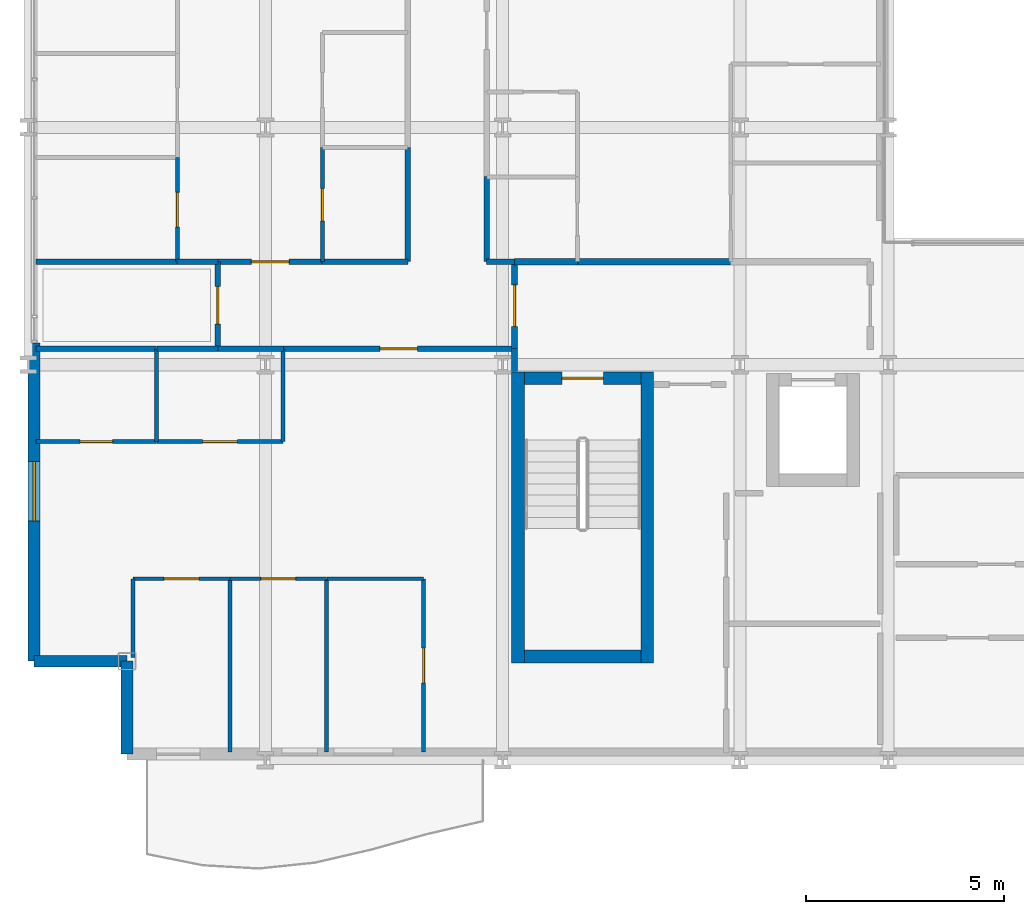
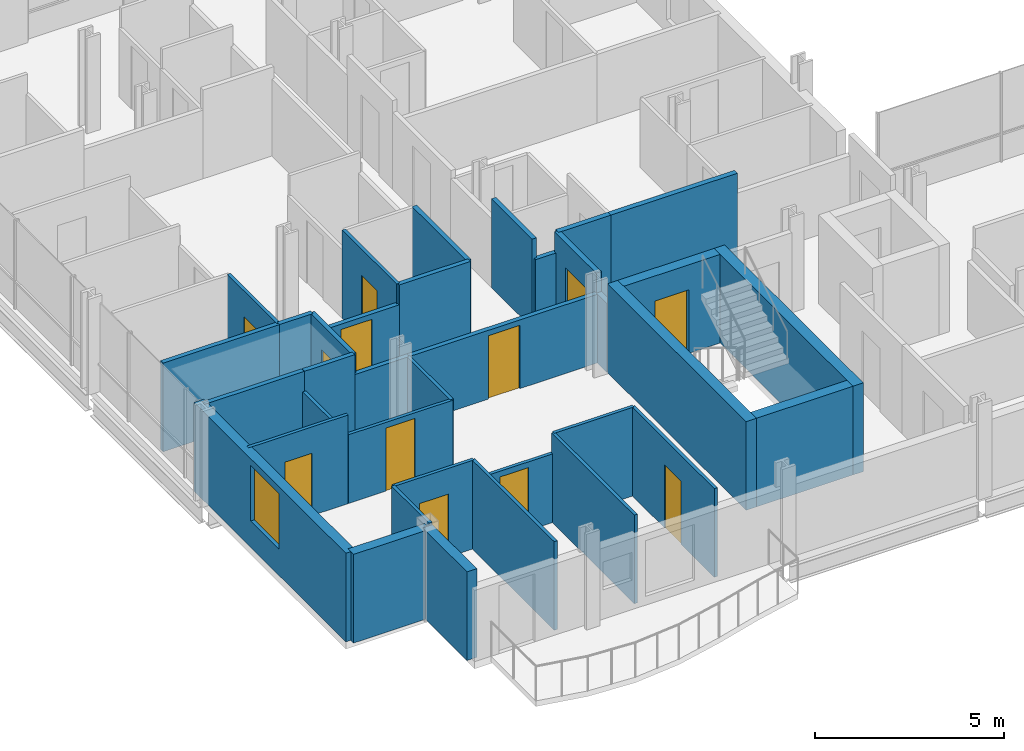
# One storey, part 31 of 41: 36 walls, 12 doors, 1 window, 13 openings.
"""IFC4 building model written with IfcOpenShell, lengths in metres."""

from ifc_helpers import new_model, si_unit, direction, frame, frame_2d, origin, place, context, subcontext, project, spatial, rectangle, extrude, material, layer, layer_set, type_object, element, fill, save


model = new_model("IFC4")

# Units and contexts
model_context = context("Model", 3, precision=1e-05, world=origin(), true_north=direction((0.0, 1.0)))
body_context = subcontext(model_context, "Body", "Model", "MODEL_VIEW")
ifc_project = project(units=[si_unit("LENGTHUNIT", "METRE"), si_unit("AREAUNIT", "SQUARE_METRE"), si_unit("VOLUMEUNIT", "CUBIC_METRE"), si_unit("PLANEANGLEUNIT", "RADIAN"), si_unit("MASSUNIT", "GRAM", prefix="KILO")], contexts=[model_context])

# Site, building, storey
site_placement = place(None, origin())
site = spatial("IfcSite", under=ifc_project, at=site_placement, CompositionType="ELEMENT")
building_placement = place(site_placement, origin())
building = spatial("IfcBuilding", under=site, at=building_placement, Name="Brevholm Reach", CompositionType="ELEMENT")
storey_placement = place(building_placement, frame((0.0, 0.0, 43.5)))
storey = spatial("IfcBuildingStorey", under=building, at=storey_placement, Name="L11", CompositionType="ELEMENT", Elevation=43.5)

# Walls
ifc_material_1 = material(Name="Concrete C60/75", Category="concrete")
ifc_layer_1 = layer(ifc_material_1, 0.320068359375)
ifc_layer_set_1 = layer_set([ifc_layer_1], Name="Concrete C60/75")
wall_type_1 = type_object("IfcWallType", Name="WAL-COR-320", PredefinedType="SHEAR", material=ifc_layer_set_1)
for number, where, z_axis, x_axis, name in (
    (1, (12.389892578125, 2.4599609375, 0.0), (0.0, 0.0, 1.0), (0.0, 1.0, 0.0), "L11 Escape Stair ST-1 Core Wall W"),
    (2, (15.659912109375, 2.4599609375, 0.0), (0.0, 0.0, 1.0), (0.0, 1.0, 0.0), "L11 Escape Stair ST-1 Core Wall E"),
):
    element("IfcWall", number, at=place(storey_placement, frame(where, z_axis=z_axis, x_axis=x_axis)), inside=storey, type_object=wall_type_1, Name=name, PredefinedType="SHEAR", context=body_context, shape_type="SweptSolid", body=[
        extrude(rectangle(XDim=7.360107421875, YDim=0.320068359375, at=frame_2d((3.68017578125, 0.0))), origin(), (0.0, 0.0, 1.0), 2.8701171875),
    ])
wall_1_placement = place(storey_placement, frame((12.550048828125, 2.6201171875, 0.0), z_axis=(0.0, 0.0, 1.0), x_axis=(1.0, 0.0, 0.0)))
element("IfcWall", 3, at=wall_1_placement, inside=storey, type_object=wall_type_1, Name="L11 Escape Stair ST-1 Core Wall S", PredefinedType="SHEAR", context=body_context, shape_type="SweptSolid", body=[
    extrude(rectangle(XDim=2.949951171875, YDim=0.320068359375, at=frame_2d((1.47509765625, 0.0))), origin(), (0.0, 0.0, 1.0), 2.8701171875),
])

# Wall, opening, door
wall_2_placement = place(storey_placement, frame((15.5, 9.659912109375, 0.0), z_axis=(0.0, 0.0, 1.0), x_axis=(-1.0, 0.0, 0.0)))
wall_2 = element("IfcWall", 4, at=wall_2_placement, inside=storey, type_object=wall_type_1, Name="L11 Escape Stair ST-1 Core Wall N", PredefinedType="SHEAR", context=body_context, shape_type="SweptSolid", body=[
    extrude(rectangle(XDim=2.949951171875, YDim=0.320068359375, at=frame_2d((1.47509765625, 0.0))), origin(), (0.0, 0.0, 1.0), 2.8701171875),
])
opening_1_placement = place(wall_2_placement, frame((0.949951171875, 0.0, 0.0)))
opening_1 = element("IfcOpeningElement", 5, at=opening_1_placement, cuts=wall_2, Name="Opening SD-ST-1", PredefinedType="OPENING", context=body_context, shape_type="SweptSolid", body=[
    extrude(rectangle(XDim=1.050048828125, YDim=2.06005859375, at=frame_2d((0.52490234375, 1.030029296875))), frame((0.0, 0.169921875, 0.0), z_axis=(0.0, -1.0, 0.0), x_axis=(1.0, 0.0, 0.0)), (0.0, 0.0, 1.0), 0.340087890625),
])
ifc_material_2 = material(Name="Hardwood-Lipped Steel-Core Fire and Smoke Door", Category="steel")
door_type_1 = type_object("IfcDoorType", Name="DOR-INT-FD60S", OperationType="NOTDEFINED", PredefinedType="DOOR", material=ifc_material_2)
door_1_placement = place(opening_1_placement, origin())
door_1 = element("IfcDoor", 6, at=door_1_placement, inside=storey, type_object=door_type_1, Name="L11 Protected Stair ST-1 Lobby Door", OperationType="SINGLE_SWING_LEFT", OverallHeight=2.06005859375, OverallWidth=1.050048828125, PredefinedType="DOOR", context=body_context, shape_type="SweptSolid", body=[
    extrude(rectangle(XDim=1.050048828125, YDim=2.06005859375, at=frame_2d((0.52490234375, 1.030029296875))), frame((0.0, 0.02490234375, 0.0), z_axis=(0.0, -1.0, 0.0), x_axis=(1.0, 0.0, 0.0)), (0.0, 0.0, 1.0), 0.050048828125),
])
fill(opening_1, door_1)

# Walls
ifc_material_3 = material(Name="Concrete C40/50", Category="concrete")
ifc_layer_2 = layer(ifc_material_3, 0.300048828125)
ifc_layer_set_2 = layer_set([ifc_layer_2], Name="Concrete C40/50")
wall_type_2 = type_object("IfcWallType", Name="WAL-EXT-300", PredefinedType="STANDARD", material=ifc_layer_set_2)
for number, where, z_axis, x_axis, name in (
    (7, (2.5, 2.5, 0.0), (0.0, 0.0, 1.0), (0.0, -1.0, 0.0), "L11 Facade Wall WAL-L11-CSW1"),
    (8, (0.14990234375, 2.5, 0.0), (0.0, 0.0, 1.0), (1.0, 0.0, 0.0), "L11 Facade Wall WAL-L11-CSW2"),
):
    element("IfcWall", number, at=place(storey_placement, frame(where, z_axis=z_axis, x_axis=x_axis)), inside=storey, type_object=wall_type_2, Name=name, PredefinedType="STANDARD", context=body_context, shape_type="SweptSolid", body=[
        extrude(rectangle(XDim=2.35009765625, YDim=0.300048828125, at=frame_2d((1.175048828125, 0.0))), origin(), (0.0, 0.0, 1.0), 2.8701171875),
    ])

# Wall, opening, window
wall_3_placement = place(storey_placement, frame((0.14990234375, 10.550048828125, 0.0), z_axis=(0.0, 0.0, 1.0), x_axis=(0.0, -1.0, 0.0)))
wall_3 = element("IfcWall", 9, at=wall_3_placement, inside=storey, type_object=wall_type_2, Name="L11 Facade Wall WAL-L11-W-S", PredefinedType="STANDARD", context=body_context, shape_type="SweptSolid", body=[
    extrude(rectangle(XDim=8.050048828125, YDim=0.300048828125, at=frame_2d((4.02490234375, 0.0))), origin(), (0.0, 0.0, 1.0), 2.8701171875),
])
opening_2_placement = place(wall_3_placement, frame((3.0, 0.0, 0.85009765625)))
opening_2 = element("IfcOpeningElement", 10, at=opening_2_placement, cuts=wall_3, Name="Opening WN-05", PredefinedType="OPENING", context=body_context, shape_type="SweptSolid", body=[
    extrude(rectangle(XDim=1.5, YDim=1.800048828125, at=frame_2d((0.75, 0.89990234375))), frame((0.0, 0.159912109375, 0.0), z_axis=(0.0, -1.0, 0.0), x_axis=(1.0, 0.0, 0.0)), (0.0, 0.0, 1.0), 0.320068359375),
])
ifc_material_4 = material(Name="Dark Anodised Aluminium and Solar-Control IGU Glass", Category="aluminium")
window_type = type_object("IfcWindowType", Name="WIN-RES-1500", PartitioningType="SINGLE_PANEL", PredefinedType="WINDOW", material=ifc_material_4)
window_placement = place(opening_2_placement, origin())
window = element("IfcWindow", 11, at=window_placement, inside=storey, type_object=window_type, Name="L11 Window WIN-L11-WS-1", OverallHeight=1.800048828125, OverallWidth=1.5, PartitioningType="SINGLE_PANEL", PredefinedType="WINDOW", context=body_context, shape_type="SweptSolid", body=[
    extrude(rectangle(XDim=1.5, YDim=1.800048828125, at=frame_2d((0.75, 0.89990234375))), frame((0.0, 0.030029296875, 0.0), z_axis=(0.0, -1.0, 0.0), x_axis=(1.0, 0.0, 0.0)), (0.0, 0.0, 1.0), 0.06005859375),
])
fill(opening_2, window)

# Wall
ifc_material_5 = material(Name="Moisture-Resistant Acoustic Gypsum Stud Partition 100 mm", Category="gypsum")
ifc_layer_3 = layer(ifc_material_5, 0.10009765625)
ifc_layer_set_3 = layer_set([ifc_layer_3], Name="Moisture-Resistant Acoustic Gypsum Stud Partition 100 mm")
wall_type_3 = type_object("IfcWallType", Name="WAL-PRT-100", PredefinedType="PARTITIONING", material=ifc_layer_set_3)
wall_4_placement = place(storey_placement, frame((3.25, 8.053955078125, 0.0), z_axis=(0.0, 0.0, 1.0), x_axis=(0.0, 1.0, 0.0)))
element("IfcWall", 12, at=wall_4_placement, inside=storey, type_object=wall_type_3, Name="L11 Internal Partition 066", PredefinedType="PARTITIONING", context=body_context, shape_type="SweptSolid", body=[
    extrude(rectangle(XDim=2.345947265625, YDim=0.10009765625, at=frame_2d((1.1728515625, 0.0))), origin(), (0.0, 0.0, 1.0), 2.224853515625),
])

# Wall, opening, door
wall_5_placement = place(storey_placement, frame((0.199951171875, 8.053955078125, 0.0), z_axis=(0.0, 0.0, 1.0), x_axis=(1.0, 0.0, 0.0)))
wall_5 = element("IfcWall", 13, at=wall_5_placement, inside=storey, type_object=wall_type_3, Name="L11 Internal Partition 067", PredefinedType="PARTITIONING", context=body_context, shape_type="SweptSolid", body=[
    extrude(rectangle(XDim=3.050048828125, YDim=0.10009765625, at=frame_2d((1.52490234375, 0.0))), origin(), (0.0, 0.0, 1.0), 2.8701171875),
])
opening_3_placement = place(wall_5_placement, frame((1.114990234375, 0.0, 0.0)))
opening_3 = element("IfcOpeningElement", 14, at=opening_3_placement, cuts=wall_5, Name="Opening ID-03", PredefinedType="OPENING", context=body_context, shape_type="SweptSolid", body=[
    extrude(rectangle(XDim=0.820068359375, YDim=2.02001953125, at=frame_2d((0.41015625, 1.010009765625))), frame((0.0, 0.06005859375, 0.0), z_axis=(0.0, -1.0, 0.0), x_axis=(1.0, 0.0, 0.0)), (0.0, 0.0, 1.0), 0.1201171875),
])
ifc_material_6 = material(Name="Moisture-Resistant Painted Timber Internal Bathroom Door", Category="wood")
door_type_2 = type_object("IfcDoorType", Name="DOR-BATH-820", OperationType="NOTDEFINED", PredefinedType="DOOR", material=ifc_material_6)
door_2_placement = place(opening_3_placement, origin())
door_2 = element("IfcDoor", 15, at=door_2_placement, inside=storey, type_object=door_type_2, Name="L11 Internal Door 025", OperationType="SINGLE_SWING_RIGHT", OverallHeight=2.02001953125, OverallWidth=0.820068359375, PredefinedType="DOOR", context=body_context, shape_type="SweptSolid", body=[
    extrude(rectangle(XDim=0.820068359375, YDim=2.02001953125, at=frame_2d((0.41015625, 1.010009765625))), frame((0.0, 0.02490234375, 0.0), z_axis=(0.0, -1.0, 0.0), x_axis=(1.0, 0.0, 0.0)), (0.0, 0.0, 1.0), 0.050048828125),
])
fill(opening_3, door_2)

wall_6_placement = place(storey_placement, frame((3.25390625, 8.053955078125, 0.0), z_axis=(0.0, 0.0, 1.0), x_axis=(1.0, 0.0, 0.0)))
wall_6 = element("IfcWall", 16, at=wall_6_placement, inside=storey, type_object=wall_type_3, Name="L11 Internal Partition 069", PredefinedType="PARTITIONING", context=body_context, shape_type="SweptSolid", body=[
    extrude(rectangle(XDim=3.196044921875, YDim=0.10009765625, at=frame_2d((1.59814453125, 0.0))), origin(), (0.0, 0.0, 1.0), 2.224853515625),
])
opening_4_placement = place(wall_6_placement, frame((1.157958984375, 0.0, 0.0)))
opening_4 = element("IfcOpeningElement", 17, at=opening_4_placement, cuts=wall_6, Name="Opening ID-01", PredefinedType="OPENING", context=body_context, shape_type="SweptSolid", body=[
    extrude(rectangle(XDim=0.8798828125, YDim=2.0400390625, at=frame_2d((0.43994140625, 1.02001953125))), frame((0.0, 0.06005859375, 0.0), z_axis=(0.0, -1.0, 0.0), x_axis=(1.0, 0.0, 0.0)), (0.0, 0.0, 1.0), 0.1201171875),
])
ifc_material_7 = material(Name="Lacquered Ash Solid-Core Acoustic Internal Door", Category="timber")
door_type_3 = type_object("IfcDoorType", Name="DOR-INT-880", OperationType="NOTDEFINED", PredefinedType="DOOR", material=ifc_material_7)
door_3_placement = place(opening_4_placement, origin())
door_3 = element("IfcDoor", 18, at=door_3_placement, inside=storey, type_object=door_type_3, Name="L11 Internal Door 026", OperationType="SINGLE_SWING_LEFT", OverallHeight=2.0400390625, OverallWidth=0.8798828125, PredefinedType="DOOR", context=body_context, shape_type="SweptSolid", body=[
    extrude(rectangle(XDim=0.8798828125, YDim=2.0400390625, at=frame_2d((0.43994140625, 1.02001953125))), frame((0.0, 0.02490234375, 0.0), z_axis=(0.0, -1.0, 0.0), x_axis=(1.0, 0.0, 0.0)), (0.0, 0.0, 1.0), 0.050048828125),
])
fill(opening_4, door_3)

# Walls
wall_7_placement = place(storey_placement, frame((6.449951171875, 8.053955078125, 0.0), z_axis=(0.0, 0.0, 1.0), x_axis=(0.0, 1.0, 0.0)))
element("IfcWall", 19, at=wall_7_placement, inside=storey, type_object=wall_type_3, Name="L11 Internal Partition 070", PredefinedType="PARTITIONING", context=body_context, shape_type="SweptSolid", body=[
    extrude(rectangle(XDim=2.342041015625, YDim=0.10009765625, at=frame_2d((1.1708984375, 0.0))), origin(), (0.0, 0.0, 1.0), 2.224853515625),
])
wall_8_placement = place(storey_placement, frame((5.10009765625, 0.199951171875, 0.0), z_axis=(0.0, 0.0, 1.0), x_axis=(0.0, 1.0, 0.0)))
element("IfcWall", 20, at=wall_8_placement, inside=storey, type_object=wall_type_3, Name="L11 Internal Partition 072", PredefinedType="PARTITIONING", context=body_context, shape_type="SweptSolid", body=[
    extrude(rectangle(XDim=4.385986328125, YDim=0.10009765625, at=frame_2d((2.19287109375, 0.0))), origin(), (0.0, 0.0, 1.0), 2.8701171875),
])
wall_9_placement = place(storey_placement, frame((2.64990234375, 2.599365234375, 0.0), z_axis=(0.0, 0.0, 1.0), x_axis=(0.0, 1.0, 0.0)))
element("IfcWall", 21, at=wall_9_placement, inside=storey, type_object=wall_type_3, Name="L11 Internal Partition 073", PredefinedType="PARTITIONING", context=body_context, shape_type="SweptSolid", body=[
    extrude(rectangle(XDim=1.986572265625, YDim=0.10009765625, at=frame_2d((0.9931640625, 0.0))), origin(), (0.0, 0.0, 1.0), 2.8701171875),
])

# Wall, opening, door
wall_10_placement = place(storey_placement, frame((2.64990234375, 4.5859375, 0.0), z_axis=(0.0, 0.0, 1.0), x_axis=(1.0, 0.0, 0.0)))
wall_10 = element("IfcWall", 22, at=wall_10_placement, inside=storey, type_object=wall_type_3, Name="L11 Internal Partition 074", PredefinedType="PARTITIONING", context=body_context, shape_type="SweptSolid", body=[
    extrude(rectangle(XDim=2.4501953125, YDim=0.10009765625, at=frame_2d((1.22509765625, 0.0))), origin(), (0.0, 0.0, 1.0), 2.8701171875),
])
opening_5_placement = place(wall_10_placement, frame((0.784912109375, 0.0, 0.0)))
opening_5 = element("IfcOpeningElement", 23, at=opening_5_placement, cuts=wall_10, Name="Opening ID-01", PredefinedType="OPENING", context=body_context, shape_type="SweptSolid", body=[
    extrude(rectangle(XDim=0.8798828125, YDim=2.0400390625, at=frame_2d((0.43994140625, 1.02001953125))), frame((0.0, 0.06005859375, 0.0), z_axis=(0.0, -1.0, 0.0), x_axis=(1.0, 0.0, 0.0)), (0.0, 0.0, 1.0), 0.1201171875),
])
door_4_placement = place(opening_5_placement, origin())
door_4 = element("IfcDoor", 24, at=door_4_placement, inside=storey, type_object=door_type_3, Name="L11 Internal Door 027", OperationType="SINGLE_SWING_RIGHT", OverallHeight=2.0400390625, OverallWidth=0.8798828125, PredefinedType="DOOR", context=body_context, shape_type="SweptSolid", body=[
    extrude(rectangle(XDim=0.8798828125, YDim=2.0400390625, at=frame_2d((0.43994140625, 1.02001953125))), frame((0.0, 0.02490234375, 0.0), z_axis=(0.0, -1.0, 0.0), x_axis=(1.0, 0.0, 0.0)), (0.0, 0.0, 1.0), 0.050048828125),
])
fill(opening_5, door_4)

# Wall
wall_11_placement = place(storey_placement, frame((7.550048828125, 0.199951171875, 0.0), z_axis=(0.0, 0.0, 1.0), x_axis=(0.0, 1.0, 0.0)))
element("IfcWall", 25, at=wall_11_placement, inside=storey, type_object=wall_type_3, Name="L11 Internal Partition 075", PredefinedType="PARTITIONING", context=body_context, shape_type="SweptSolid", body=[
    extrude(rectangle(XDim=4.385986328125, YDim=0.10009765625, at=frame_2d((2.19287109375, 0.0))), origin(), (0.0, 0.0, 1.0), 2.8701171875),
])

# Wall, opening, door
wall_12_placement = place(storey_placement, frame((5.10400390625, 4.5859375, 0.0), z_axis=(0.0, 0.0, 1.0), x_axis=(1.0, 0.0, 0.0)))
wall_12 = element("IfcWall", 26, at=wall_12_placement, inside=storey, type_object=wall_type_3, Name="L11 Internal Partition 076", PredefinedType="PARTITIONING", context=body_context, shape_type="SweptSolid", body=[
    extrude(rectangle(XDim=2.446044921875, YDim=0.10009765625, at=frame_2d((1.22314453125, 0.0))), origin(), (0.0, 0.0, 1.0), 2.224853515625),
])
opening_6_placement = place(wall_12_placement, frame((0.782958984375, 0.0, 0.0)))
opening_6 = element("IfcOpeningElement", 27, at=opening_6_placement, cuts=wall_12, Name="Opening ID-01", PredefinedType="OPENING", context=body_context, shape_type="SweptSolid", body=[
    extrude(rectangle(XDim=0.8798828125, YDim=2.0400390625, at=frame_2d((0.43994140625, 1.02001953125))), frame((0.0, 0.06005859375, 0.0), z_axis=(0.0, -1.0, 0.0), x_axis=(1.0, 0.0, 0.0)), (0.0, 0.0, 1.0), 0.1201171875),
])
door_5_placement = place(opening_6_placement, origin())
door_5 = element("IfcDoor", 28, at=door_5_placement, inside=storey, type_object=door_type_3, Name="L11 Internal Door 028", OperationType="SINGLE_SWING_LEFT", OverallHeight=2.0400390625, OverallWidth=0.8798828125, PredefinedType="DOOR", context=body_context, shape_type="SweptSolid", body=[
    extrude(rectangle(XDim=0.8798828125, YDim=2.0400390625, at=frame_2d((0.43994140625, 1.02001953125))), frame((0.0, 0.02490234375, 0.0), z_axis=(0.0, -1.0, 0.0), x_axis=(1.0, 0.0, 0.0)), (0.0, 0.0, 1.0), 0.050048828125),
])
fill(opening_6, door_5)

wall_13_placement = place(storey_placement, frame((10.0, 0.199951171875, 0.0), z_axis=(0.0, 0.0, 1.0), x_axis=(0.0, 1.0, 0.0)))
wall_13 = element("IfcWall", 29, at=wall_13_placement, inside=storey, type_object=wall_type_3, Name="L11 Internal Partition 077", PredefinedType="PARTITIONING", context=body_context, shape_type="SweptSolid", body=[
    extrude(rectangle(XDim=4.385986328125, YDim=0.10009765625, at=frame_2d((2.19287109375, 0.0))), origin(), (0.0, 0.0, 1.0), 2.8701171875),
])
opening_7_placement = place(wall_13_placement, frame((1.7529296875, 0.0, 0.0)))
opening_7 = element("IfcOpeningElement", 30, at=opening_7_placement, cuts=wall_13, Name="Opening ID-01", PredefinedType="OPENING", context=body_context, shape_type="SweptSolid", body=[
    extrude(rectangle(XDim=0.8798828125, YDim=2.0400390625, at=frame_2d((0.43994140625, 1.02001953125))), frame((0.0, 0.06005859375, 0.0), z_axis=(0.0, -1.0, 0.0), x_axis=(1.0, 0.0, 0.0)), (0.0, 0.0, 1.0), 0.1201171875),
])
door_6_placement = place(opening_7_placement, origin())
door_6 = element("IfcDoor", 31, at=door_6_placement, inside=storey, type_object=door_type_3, Name="L11 Internal Door 029", OperationType="SINGLE_SWING_RIGHT", OverallHeight=2.0400390625, OverallWidth=0.8798828125, PredefinedType="DOOR", context=body_context, shape_type="SweptSolid", body=[
    extrude(rectangle(XDim=0.8798828125, YDim=2.0400390625, at=frame_2d((0.43994140625, 1.02001953125))), frame((0.0, 0.02490234375, 0.0), z_axis=(0.0, -1.0, 0.0), x_axis=(1.0, 0.0, 0.0)), (0.0, 0.0, 1.0), 0.050048828125),
])
fill(opening_7, door_6)

# Wall
wall_14_placement = place(storey_placement, frame((7.553955078125, 4.5859375, 0.0), z_axis=(0.0, 0.0, 1.0), x_axis=(1.0, 0.0, 0.0)))
element("IfcWall", 32, at=wall_14_placement, inside=storey, type_object=wall_type_3, Name="L11 Internal Partition 078", PredefinedType="PARTITIONING", context=body_context, shape_type="SweptSolid", body=[
    extrude(rectangle(XDim=2.446044921875, YDim=0.10009765625, at=frame_2d((1.22314453125, 0.0))), origin(), (0.0, 0.0, 1.0), 2.8701171875),
])

# Wall, opening, door
wall_15_placement = place(storey_placement, frame((7.43798828125, 12.60400390625, 0.0), z_axis=(0.0, 0.0, 1.0), x_axis=(0.0, 1.0, 0.0)))
wall_15 = element("IfcWall", 33, at=wall_15_placement, inside=storey, type_object=wall_type_3, Name="L11 Internal Partition 094", PredefinedType="PARTITIONING", context=body_context, shape_type="SweptSolid", body=[
    extrude(rectangle(XDim=2.884033203125, YDim=0.10009765625, at=frame_2d((1.44189453125, 0.0))), origin(), (0.0, 0.0, 1.0), 2.8701171875),
])
opening_8_placement = place(wall_15_placement, frame((1.031982421875, 0.0, 0.0)))
opening_8 = element("IfcOpeningElement", 34, at=opening_8_placement, cuts=wall_15, Name="Opening ID-03", PredefinedType="OPENING", context=body_context, shape_type="SweptSolid", body=[
    extrude(rectangle(XDim=0.820068359375, YDim=2.02001953125, at=frame_2d((0.41015625, 1.010009765625))), frame((0.0, 0.06005859375, 0.0), z_axis=(0.0, -1.0, 0.0), x_axis=(1.0, 0.0, 0.0)), (0.0, 0.0, 1.0), 0.1201171875),
])
door_7_placement = place(opening_8_placement, origin())
door_7 = element("IfcDoor", 35, at=door_7_placement, inside=storey, type_object=door_type_2, Name="L11 Internal Door 034", OperationType="SINGLE_SWING_LEFT", OverallHeight=2.02001953125, OverallWidth=0.820068359375, PredefinedType="DOOR", context=body_context, shape_type="SweptSolid", body=[
    extrude(rectangle(XDim=0.820068359375, YDim=2.02001953125, at=frame_2d((0.41015625, 1.010009765625))), frame((0.0, 0.02490234375, 0.0), z_axis=(0.0, -1.0, 0.0), x_axis=(1.0, 0.0, 0.0)), (0.0, 0.0, 1.0), 0.050048828125),
])
fill(opening_8, door_7)

wall_16_placement = place(storey_placement, frame((3.77197265625, 12.60400390625, 0.0), z_axis=(0.0, 0.0, 1.0), x_axis=(0.0, 1.0, 0.0)))
wall_16 = element("IfcWall", 36, at=wall_16_placement, inside=storey, type_object=wall_type_3, Name="L11 Internal Partition 098", PredefinedType="PARTITIONING", context=body_context, shape_type="SweptSolid", body=[
    extrude(rectangle(XDim=2.631103515625, YDim=0.10009765625, at=frame_2d((1.3154296875, 0.0))), origin(), (0.0, 0.0, 1.0), 2.8701171875),
])
opening_9_placement = place(wall_16_placement, frame((0.87548828125, 0.0, 0.0)))
opening_9 = element("IfcOpeningElement", 37, at=opening_9_placement, cuts=wall_16, Name="Opening ID-01", PredefinedType="OPENING", context=body_context, shape_type="SweptSolid", body=[
    extrude(rectangle(XDim=0.8798828125, YDim=2.0400390625, at=frame_2d((0.43994140625, 1.02001953125))), frame((0.0, 0.06005859375, 0.0), z_axis=(0.0, -1.0, 0.0), x_axis=(1.0, 0.0, 0.0)), (0.0, 0.0, 1.0), 0.1201171875),
])
door_8_placement = place(opening_9_placement, origin())
door_8 = element("IfcDoor", 38, at=door_8_placement, inside=storey, type_object=door_type_3, Name="L11 Internal Door 036", OperationType="SINGLE_SWING_LEFT", OverallHeight=2.0400390625, OverallWidth=0.8798828125, PredefinedType="DOOR", context=body_context, shape_type="SweptSolid", body=[
    extrude(rectangle(XDim=0.8798828125, YDim=2.0400390625, at=frame_2d((0.43994140625, 1.02001953125))), frame((0.0, 0.02490234375, 0.0), z_axis=(0.0, -1.0, 0.0), x_axis=(1.0, 0.0, 0.0)), (0.0, 0.0, 1.0), 0.050048828125),
])
fill(opening_9, door_8)

# Wall
ifc_material_8 = material(Name="Twin-Stud Acoustic Fire-Rated Gypsum Partition 140 mm", Category="gypsum")
ifc_layer_4 = layer(ifc_material_8, 0.139892578125)
ifc_layer_set_4 = layer_set([ifc_layer_4], Name="Twin-Stud Acoustic Fire-Rated Gypsum Partition 140 mm")
wall_type_4 = type_object("IfcWallType", Name="WAL-PRT-140", PredefinedType="PARTITIONING", material=ifc_layer_set_4)
wall_17_placement = place(storey_placement, frame((4.800048828125, 10.39990234375, 0.0), z_axis=(0.0, 0.0, 1.0), x_axis=(1.0, 0.0, 0.0)))
element("IfcWall", 39, at=wall_17_placement, inside=storey, type_object=wall_type_4, Name="L11 Internal Partition 029", PredefinedType="PARTITIONING", context=body_context, shape_type="SweptSolid", body=[
    extrude(rectangle(XDim=1.6611328125, YDim=0.139892578125, at=frame_2d((0.83056640625, 0.0))), origin(), (0.0, 0.0, 1.0), 2.224853515625),
])

# Wall, opening, door
wall_18_placement = place(storey_placement, frame((6.442626953125, 10.39990234375, 0.0), z_axis=(0.0, 0.0, 1.0), x_axis=(1.0, 0.0, 0.0)))
wall_18 = element("IfcWall", 40, at=wall_18_placement, inside=storey, type_object=wall_type_4, Name="L11 Internal Partition 030", PredefinedType="PARTITIONING", context=body_context, shape_type="SweptSolid", body=[
    extrude(rectangle(XDim=5.853271484375, YDim=0.139892578125, at=frame_2d((2.9267578125, 0.0))), origin(), (0.0, 0.0, 1.0), 2.224853515625),
])
opening_10_placement = place(wall_18_placement, frame((2.45166015625, 0.0, 0.0)))
opening_10 = element("IfcOpeningElement", 41, at=opening_10_placement, cuts=wall_18, Name="Opening ID-30", PredefinedType="OPENING", context=body_context, shape_type="SweptSolid", body=[
    extrude(rectangle(XDim=0.949951171875, YDim=2.050048828125, at=frame_2d((0.47509765625, 1.02490234375))), frame((0.0, 0.079833984375, 0.0), z_axis=(0.0, -1.0, 0.0), x_axis=(1.0, 0.0, 0.0)), (0.0, 0.0, 1.0), 0.159912109375),
])
ifc_material_9 = material(Name="European Oak Veneered Solid-Core Fire Entrance Door", Category="timber")
door_type_4 = type_object("IfcDoorType", Name="DOR-FLT-FD30S", OperationType="NOTDEFINED", PredefinedType="DOOR", material=ifc_material_9)
door_9_placement = place(opening_10_placement, origin())
door_9 = element("IfcDoor", 42, at=door_9_placement, inside=storey, type_object=door_type_4, Name="L11 Internal Door 015", OperationType="SINGLE_SWING_RIGHT", OverallHeight=2.050048828125, OverallWidth=0.949951171875, PredefinedType="DOOR", context=body_context, shape_type="SweptSolid", body=[
    extrude(rectangle(XDim=0.949951171875, YDim=2.050048828125, at=frame_2d((0.47509765625, 1.02490234375))), frame((0.0, 0.02490234375, 0.0), z_axis=(0.0, -1.0, 0.0), x_axis=(1.0, 0.0, 0.0)), (0.0, 0.0, 1.0), 0.050048828125),
])
fill(opening_10, door_9)

wall_19_placement = place(storey_placement, frame((4.800048828125, 10.39990234375, 0.0), z_axis=(0.0, 0.0, 1.0), x_axis=(0.0, 1.0, 0.0)))
wall_19 = element("IfcWall", 43, at=wall_19_placement, inside=storey, type_object=wall_type_4, Name="L11 Internal Partition 031", PredefinedType="PARTITIONING", context=body_context, shape_type="SweptSolid", body=[
    extrude(rectangle(XDim=2.2001953125, YDim=0.139892578125, at=frame_2d((1.10009765625, 0.0))), origin(), (0.0, 0.0, 1.0), 2.8701171875),
])
opening_11_placement = place(wall_19_placement, frame((0.625, 0.0, 0.0)))
opening_11 = element("IfcOpeningElement", 44, at=opening_11_placement, cuts=wall_19, Name="Opening ID-30", PredefinedType="OPENING", context=body_context, shape_type="SweptSolid", body=[
    extrude(rectangle(XDim=0.949951171875, YDim=2.050048828125, at=frame_2d((0.47509765625, 1.02490234375))), frame((0.0, 0.079833984375, 0.0), z_axis=(0.0, -1.0, 0.0), x_axis=(1.0, 0.0, 0.0)), (0.0, 0.0, 1.0), 0.159912109375),
])
door_10_placement = place(opening_11_placement, origin())
door_10 = element("IfcDoor", 45, at=door_10_placement, inside=storey, type_object=door_type_4, Name="L11 Internal Door 016", OperationType="SINGLE_SWING_LEFT", OverallHeight=2.050048828125, OverallWidth=0.949951171875, PredefinedType="DOOR", context=body_context, shape_type="SweptSolid", body=[
    extrude(rectangle(XDim=0.949951171875, YDim=2.050048828125, at=frame_2d((0.47509765625, 1.02490234375))), frame((0.0, 0.02490234375, 0.0), z_axis=(0.0, -1.0, 0.0), x_axis=(1.0, 0.0, 0.0)), (0.0, 0.0, 1.0), 0.050048828125),
])
fill(opening_11, door_10)

# Wall
wall_20_placement = place(storey_placement, frame((7.4267578125, 12.60009765625, 0.0), z_axis=(0.0, 0.0, 1.0), x_axis=(1.0, 0.0, 0.0)))
element("IfcWall", 46, at=wall_20_placement, inside=storey, type_object=wall_type_4, Name="L11 Internal Partition 032", PredefinedType="PARTITIONING", context=body_context, shape_type="SweptSolid", body=[
    extrude(rectangle(XDim=2.1806640625, YDim=0.139892578125, at=frame_2d((1.09033203125, 0.0))), origin(), (0.0, 0.0, 1.0), 2.8701171875),
])

# Wall, opening, door
wall_21_placement = place(storey_placement, frame((4.800048828125, 12.60009765625, 0.0), z_axis=(0.0, 0.0, 1.0), x_axis=(1.0, 0.0, 0.0)))
wall_21 = element("IfcWall", 47, at=wall_21_placement, inside=storey, type_object=wall_type_4, Name="L11 Internal Partition 033", PredefinedType="PARTITIONING", context=body_context, shape_type="SweptSolid", body=[
    extrude(rectangle(XDim=2.645263671875, YDim=0.139892578125, at=frame_2d((1.32275390625, 0.0))), origin(), (0.0, 0.0, 1.0), 2.224853515625),
])
opening_12_placement = place(wall_21_placement, frame((0.84765625, 0.0, 0.0)))
opening_12 = element("IfcOpeningElement", 48, at=opening_12_placement, cuts=wall_21, Name="Opening ID-30", PredefinedType="OPENING", context=body_context, shape_type="SweptSolid", body=[
    extrude(rectangle(XDim=0.949951171875, YDim=2.050048828125, at=frame_2d((0.47509765625, 1.02490234375))), frame((0.0, 0.079833984375, 0.0), z_axis=(0.0, -1.0, 0.0), x_axis=(1.0, 0.0, 0.0)), (0.0, 0.0, 1.0), 0.159912109375),
])
door_11_placement = place(opening_12_placement, origin())
door_11 = element("IfcDoor", 49, at=door_11_placement, inside=storey, type_object=door_type_4, Name="L11 Internal Door 017", OperationType="SINGLE_SWING_RIGHT", OverallHeight=2.050048828125, OverallWidth=0.949951171875, PredefinedType="DOOR", context=body_context, shape_type="SweptSolid", body=[
    extrude(rectangle(XDim=0.949951171875, YDim=2.050048828125, at=frame_2d((0.47509765625, 1.02490234375))), frame((0.0, 0.02490234375, 0.0), z_axis=(0.0, -1.0, 0.0), x_axis=(1.0, 0.0, 0.0)), (0.0, 0.0, 1.0), 0.050048828125),
])
fill(opening_12, door_11)

# Walls
wall_22_placement = place(storey_placement, frame((11.5927734375, 12.60009765625, 0.0), z_axis=(0.0, 0.0, 1.0), x_axis=(1.0, 0.0, 0.0)))
element("IfcWall", 50, at=wall_22_placement, inside=storey, type_object=wall_type_4, Name="L11 Internal Partition 034", PredefinedType="PARTITIONING", context=body_context, shape_type="SweptSolid", body=[
    extrude(rectangle(XDim=0.703125, YDim=0.139892578125, at=frame_2d((0.3515625, 0.0))), origin(), (0.0, 0.0, 1.0), 2.224853515625),
])
wall_23_placement = place(storey_placement, frame((9.60009765625, 12.60400390625, 0.0), z_axis=(0.0, 0.0, 1.0), x_axis=(0.0, 1.0, 0.0)))
element("IfcWall", 51, at=wall_23_placement, inside=storey, type_object=wall_type_4, Name="L11 Internal Partition 038", PredefinedType="PARTITIONING", context=body_context, shape_type="SweptSolid", body=[
    extrude(rectangle(XDim=2.895263671875, YDim=0.139892578125, at=frame_2d((1.44775390625, 0.0))), origin(), (0.0, 0.0, 1.0), 2.8701171875),
])
wall_24_placement = place(storey_placement, frame((11.60009765625, 12.60400390625, 0.0), z_axis=(0.0, 0.0, 1.0), x_axis=(0.0, 1.0, 0.0)))
element("IfcWall", 52, at=wall_24_placement, inside=storey, type_object=wall_type_4, Name="L11 Internal Partition 044", PredefinedType="PARTITIONING", context=body_context, shape_type="SweptSolid", body=[
    extrude(rectangle(XDim=2.1572265625, YDim=0.139892578125, at=frame_2d((1.07861328125, 0.0))), origin(), (0.0, 0.0, 1.0), 2.8701171875),
])
wall_25_placement = place(storey_placement, frame((0.199951171875, 10.39990234375, 0.0), z_axis=(0.0, 0.0, 1.0), x_axis=(1.0, 0.0, 0.0)))
element("IfcWall", 53, at=wall_25_placement, inside=storey, type_object=wall_type_4, Name="L11 Internal Partition 068", PredefinedType="PARTITIONING", context=body_context, shape_type="SweptSolid", body=[
    extrude(rectangle(XDim=3.050048828125, YDim=0.139892578125, at=frame_2d((1.52490234375, 0.0))), origin(), (0.0, 0.0, 1.0), 2.8701171875),
])
wall_26_placement = place(storey_placement, frame((3.25390625, 10.39990234375, 0.0), z_axis=(0.0, 0.0, 1.0), x_axis=(1.0, 0.0, 0.0)))
element("IfcWall", 54, at=wall_26_placement, inside=storey, type_object=wall_type_4, Name="L11 Internal Partition 071", PredefinedType="PARTITIONING", context=body_context, shape_type="SweptSolid", body=[
    extrude(rectangle(XDim=1.5419921875, YDim=0.139892578125, at=frame_2d((0.77099609375, 0.0))), origin(), (0.0, 0.0, 1.0), 2.8701171875),
])
wall_27_placement = place(storey_placement, frame((0.199951171875, 12.60009765625, 0.0), z_axis=(0.0, 0.0, 1.0), x_axis=(1.0, 0.0, 0.0)))
element("IfcWall", 55, at=wall_27_placement, inside=storey, type_object=wall_type_4, Name="L11 Internal Partition 079", PredefinedType="PARTITIONING", context=body_context, shape_type="SweptSolid", body=[
    extrude(rectangle(XDim=3.583251953125, YDim=0.139892578125, at=frame_2d((1.79150390625, 0.0))), origin(), (0.0, 0.0, 1.0), 2.8701171875),
])
wall_28_placement = place(storey_placement, frame((3.7646484375, 12.60009765625, 0.0), z_axis=(0.0, 0.0, 1.0), x_axis=(1.0, 0.0, 0.0)))
element("IfcWall", 56, at=wall_28_placement, inside=storey, type_object=wall_type_4, Name="L11 Internal Partition 080", PredefinedType="PARTITIONING", context=body_context, shape_type="SweptSolid", body=[
    extrude(rectangle(XDim=1.03125, YDim=0.139892578125, at=frame_2d((0.515625, 0.0))), origin(), (0.0, 0.0, 1.0), 2.8701171875),
])

# Wall, opening, door
ifc_material_10 = material(Name="Twin-Frame Fire-Rated Gypsum Board and Mineral Wool 160 mm", Category="gypsum")
ifc_layer_5 = layer(ifc_material_10, 0.159912109375)
ifc_layer_set_5 = layer_set([ifc_layer_5], Name="Twin-Frame Fire-Rated Gypsum Board and Mineral Wool 160 mm")
wall_type_5 = type_object("IfcWallType", Name="WAL-PRT-160", PredefinedType="PARTITIONING", material=ifc_layer_set_5)
wall_29_placement = place(storey_placement, frame((12.300048828125, 10.388671875, 0.0), z_axis=(0.0, 0.0, 1.0), x_axis=(0.0, 1.0, 0.0)))
wall_29 = element("IfcWall", 57, at=wall_29_placement, inside=storey, type_object=wall_type_5, Name="L11 Internal Partition 018", PredefinedType="PARTITIONING", context=body_context, shape_type="SweptSolid", body=[
    extrude(rectangle(XDim=2.21142578125, YDim=0.159912109375, at=frame_2d((1.105712890625, 0.0))), origin(), (0.0, 0.0, 1.0), 2.8701171875),
])
opening_13_placement = place(wall_29_placement, frame((0.58056640625, 0.0, 0.0)))
opening_13 = element("IfcOpeningElement", 58, at=opening_13_placement, cuts=wall_29, Name="Opening FD-01", PredefinedType="OPENING", context=body_context, shape_type="SweptSolid", body=[
    extrude(rectangle(XDim=1.050048828125, YDim=2.06005859375, at=frame_2d((0.52490234375, 1.030029296875))), frame((0.0, 0.08984375, 0.0), z_axis=(0.0, -1.0, 0.0), x_axis=(1.0, 0.0, 0.0)), (0.0, 0.0, 1.0), 0.179931640625),
])
door_12_placement = place(opening_13_placement, origin())
door_12 = element("IfcDoor", 59, at=door_12_placement, inside=storey, type_object=door_type_1, Name="L11 Internal Door 011", OperationType="SINGLE_SWING_RIGHT", OverallHeight=2.06005859375, OverallWidth=1.050048828125, PredefinedType="DOOR", context=body_context, shape_type="SweptSolid", body=[
    extrude(rectangle(XDim=1.050048828125, YDim=2.06005859375, at=frame_2d((0.52490234375, 1.030029296875))), frame((0.0, 0.02490234375, 0.0), z_axis=(0.0, -1.0, 0.0), x_axis=(1.0, 0.0, 0.0)), (0.0, 0.0, 1.0), 0.050048828125),
])
fill(opening_13, door_12)

# Walls
wall_30_placement = place(storey_placement, frame((12.300048828125, 9.830078125, 0.0), z_axis=(0.0, 0.0, 1.0), x_axis=(0.0, 1.0, 0.0)))
element("IfcWall", 60, at=wall_30_placement, inside=storey, type_object=wall_type_5, Name="L11 Internal Partition 020", PredefinedType="PARTITIONING", context=body_context, shape_type="SweptSolid", body=[
    extrude(rectangle(XDim=0.5771484375, YDim=0.159912109375, at=frame_2d((0.28857421875, 0.0))), origin(), (0.0, 0.0, 1.0), 2.224853515625),
])
wall_31_placement = place(storey_placement, frame((12.300048828125, 12.60009765625, 0.0), z_axis=(0.0, 0.0, 1.0), x_axis=(1.0, 0.0, 0.0)))
element("IfcWall", 61, at=wall_31_placement, inside=storey, type_object=wall_type_5, Name="L11 Internal Partition 021", PredefinedType="PARTITIONING", context=body_context, shape_type="SweptSolid", body=[
    extrude(rectangle(XDim=1.600341796875, YDim=0.159912109375, at=frame_2d((0.80029296875, 0.0))), origin(), (0.0, 0.0, 1.0), 2.8701171875),
])
wall_32_placement = place(storey_placement, frame((13.881591796875, 12.60009765625, 0.0), z_axis=(0.0, 0.0, 1.0), x_axis=(1.0, 0.0, 0.0)))
element("IfcWall", 62, at=wall_32_placement, inside=storey, type_object=wall_type_5, Name="L11 Internal Partition 023", PredefinedType="PARTITIONING", context=body_context, shape_type="SweptSolid", body=[
    extrude(rectangle(XDim=3.894775390625, YDim=0.159912109375, at=frame_2d((1.947265625, 0.0))), origin(), (0.0, 0.0, 1.0), 2.8701171875),
])

save(model, "model.ifc")
